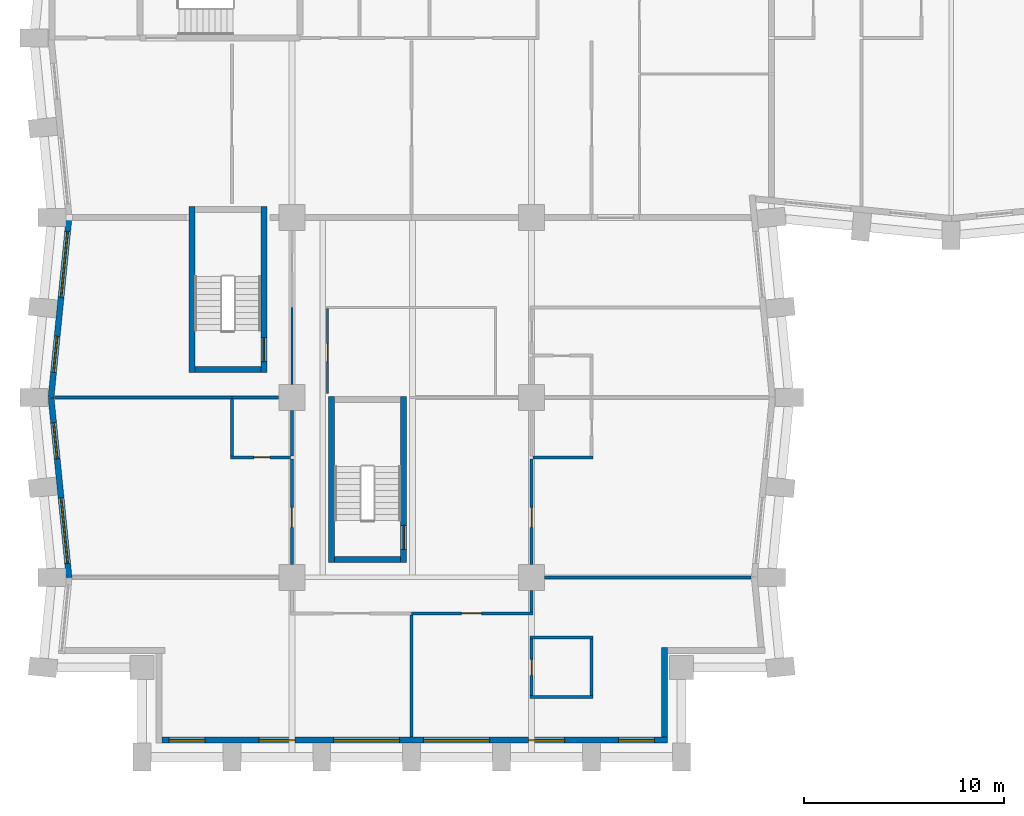
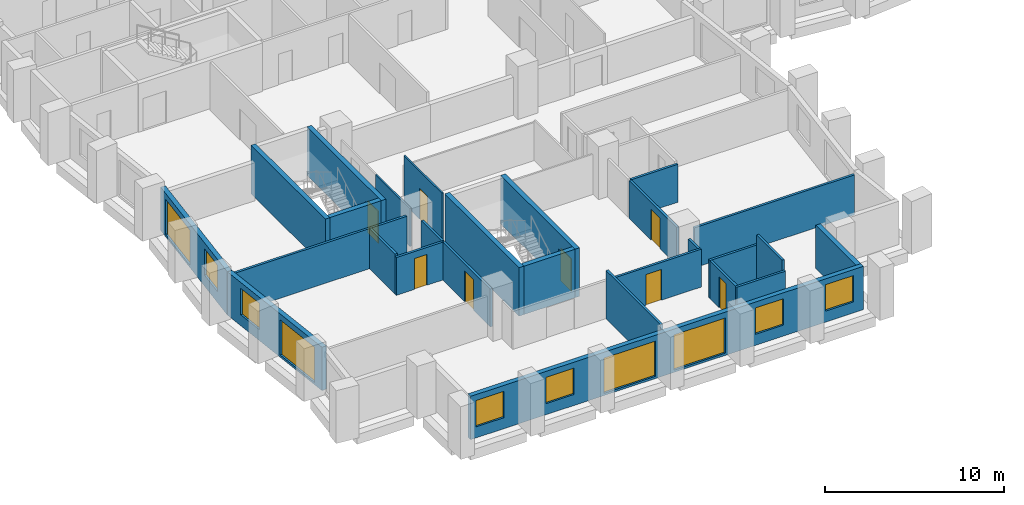
# One storey, part 3 of 12: 28 walls, 10 windows, 8 doors, 18 openings.
"""IFC4 building model written with IfcOpenShell, lengths in metres."""

from ifc_helpers import new_model, si_unit, direction, frame, frame_2d, origin, place, context, subcontext, project, spatial, rectangle, extrude, material, layer, layer_set, type_object, element, fill, save


model = new_model("IFC4")

# Units and contexts
model_context = context("Model", 3, precision=1e-05, world=origin(), true_north=direction((0.0, 1.0)))
body_context = subcontext(model_context, "Body", "Model", "MODEL_VIEW")
ifc_project = project(units=[si_unit("LENGTHUNIT", "METRE"), si_unit("AREAUNIT", "SQUARE_METRE"), si_unit("VOLUMEUNIT", "CUBIC_METRE"), si_unit("PLANEANGLEUNIT", "RADIAN"), si_unit("MASSUNIT", "GRAM", prefix="KILO")], contexts=[model_context])

# Site, building, storey
site_placement = place(None, origin())
site = spatial("IfcSite", under=ifc_project, at=site_placement, CompositionType="ELEMENT")
building_placement = place(site_placement, origin())
building = spatial("IfcBuilding", under=site, at=building_placement, Name="Brondeck Convention Tower", CompositionType="ELEMENT")
storey_placement = place(building_placement, frame((0.0, 0.0, 51.89990234375)))
storey = spatial("IfcBuildingStorey", under=building, at=storey_placement, Name="L10", CompositionType="ELEMENT", Elevation=51.89990234375)

# Wall, openings, windows
ifc_material_1 = material(Name="Precast concrete C50/60 bronze finish", Category="concrete")
ifc_layer_1 = layer(ifc_material_1, 0.070068359375, Name="Bronze precast facing")
ifc_material_2 = material(Name="Mineral wool")
ifc_layer_2 = layer(ifc_material_2, 0.159912109375, Name="Insulation")
ifc_material_3 = material(Name="Concrete C35/45", Category="concrete")
ifc_layer_3 = layer(ifc_material_3, 0.070068359375, Name="Backing")
ifc_layer_set_1 = layer_set([ifc_layer_1, ifc_layer_2, ifc_layer_3], Name="External infill wall, precast concrete C50/60 bronze facing")
wall_type_1 = type_object("IfcWallType", Name="External infill wall, precast concrete C50/60 bronze facing", PredefinedType="SOLIDWALL", material=ifc_layer_set_1)
wall_1_placement = place(storey_placement, frame((30.800048828125, 0.85009765625, 0.0), z_axis=(0.0, 0.0, 1.0), x_axis=(-1.0, 0.0, 0.0)))
wall_1 = element("IfcWall", 1, at=wall_1_placement, inside=storey, type_object=wall_type_1, Name="ENV-EW-L10-P0-B-S0-01", PredefinedType="SOLIDWALL", context=body_context, shape_type="SweptSolid", body=[
    extrude(rectangle(XDim=25.300048828125, YDim=0.300048828125, at=frame_2d((12.64990234375, 0.0))), origin(), (0.0, 0.0, 1.0), 2.9501953125),
])
opening_1_placement = place(wall_1_placement, frame((0.64990234375, 0.0, 0.75)))
opening_1 = element("IfcOpeningElement", 2, at=opening_1_placement, cuts=wall_1, Name="Opening W10", PredefinedType="OPENING", context=body_context, shape_type="SweptSolid", body=[
    extrude(rectangle(XDim=1.800048828125, YDim=1.800048828125, at=frame_2d((0.89990234375, 0.89990234375))), frame((0.0, 0.159912109375, 0.0), z_axis=(0.0, -1.0, 0.0), x_axis=(1.0, 0.0, 0.0)), (0.0, 0.0, 1.0), 0.320068359375),
])
opening_2_placement = place(wall_1_placement, frame((5.14990234375, 0.0, 0.75)))
opening_2 = element("IfcOpeningElement", 3, at=opening_2_placement, cuts=wall_1, Name="Opening W10", PredefinedType="OPENING", context=body_context, shape_type="SweptSolid", body=[
    extrude(rectangle(XDim=1.800048828125, YDim=1.800048828125, at=frame_2d((0.89990234375, 0.89990234375))), frame((0.0, 0.159912109375, 0.0), z_axis=(0.0, -1.0, 0.0), x_axis=(1.0, 0.0, 0.0)), (0.0, 0.0, 1.0), 0.320068359375),
])
opening_3_placement = place(wall_1_placement, frame((8.89990234375, 0.0, 0.14990234375)))
opening_3 = element("IfcOpeningElement", 4, at=opening_3_placement, cuts=wall_1, Name="Opening W9", PredefinedType="OPENING", context=body_context, shape_type="SweptSolid", body=[
    extrude(rectangle(XDim=3.300048828125, YDim=2.39990234375, at=frame_2d((1.64990234375, 1.199951171875))), frame((0.0, 0.159912109375, 0.0), z_axis=(0.0, -1.0, 0.0), x_axis=(1.0, 0.0, 0.0)), (0.0, 0.0, 1.0), 0.320068359375),
])
opening_4_placement = place(wall_1_placement, frame((13.39990234375, 0.0, 0.14990234375)))
opening_4 = element("IfcOpeningElement", 5, at=opening_4_placement, cuts=wall_1, Name="Opening W9", PredefinedType="OPENING", context=body_context, shape_type="SweptSolid", body=[
    extrude(rectangle(XDim=3.300048828125, YDim=2.39990234375, at=frame_2d((1.64990234375, 1.199951171875))), frame((0.0, 0.159912109375, 0.0), z_axis=(0.0, -1.0, 0.0), x_axis=(1.0, 0.0, 0.0)), (0.0, 0.0, 1.0), 0.320068359375),
])
opening_5_placement = place(wall_1_placement, frame((18.64990234375, 0.0, 0.75)))
opening_5 = element("IfcOpeningElement", 6, at=opening_5_placement, cuts=wall_1, Name="Opening W10", PredefinedType="OPENING", context=body_context, shape_type="SweptSolid", body=[
    extrude(rectangle(XDim=1.800048828125, YDim=1.800048828125, at=frame_2d((0.89990234375, 0.89990234375))), frame((0.0, 0.159912109375, 0.0), z_axis=(0.0, -1.0, 0.0), x_axis=(1.0, 0.0, 0.0)), (0.0, 0.0, 1.0), 0.320068359375),
])
opening_6_placement = place(wall_1_placement, frame((23.14990234375, 0.0, 0.75)))
opening_6 = element("IfcOpeningElement", 7, at=opening_6_placement, cuts=wall_1, Name="Opening W10", PredefinedType="OPENING", context=body_context, shape_type="SweptSolid", body=[
    extrude(rectangle(XDim=1.800048828125, YDim=1.800048828125, at=frame_2d((0.89990234375, 0.89990234375))), frame((0.0, 0.159912109375, 0.0), z_axis=(0.0, -1.0, 0.0), x_axis=(1.0, 0.0, 0.0)), (0.0, 0.0, 1.0), 0.320068359375),
])
ifc_material_4 = material(Name="Bronze tinted double glazing", Category="glass")
window_type_1 = type_object("IfcWindowType", Name="Glazed flute window, bronze tinted", PartitioningType="SINGLE_PANEL", PredefinedType="WINDOW", material=ifc_material_4)
window_1_placement = place(opening_3_placement, origin())
window_1 = element("IfcWindow", 8, at=window_1_placement, inside=storey, type_object=window_type_1, Name="ENV-WN-L10-P0-B-S0-04", OverallHeight=2.39990234375, OverallWidth=3.300048828125, PartitioningType="SINGLE_PANEL", PredefinedType="WINDOW", context=body_context, shape_type="SweptSolid", body=[
    extrude(rectangle(XDim=3.300048828125, YDim=2.39990234375, at=frame_2d((1.64990234375, 1.199951171875))), frame((0.0, 0.030029296875, 0.0), z_axis=(0.0, -1.0, 0.0), x_axis=(1.0, 0.0, 0.0)), (0.0, 0.0, 1.0), 0.06005859375),
])
fill(opening_3, window_1)
window_2_placement = place(opening_4_placement, origin())
window_2 = element("IfcWindow", 9, at=window_2_placement, inside=storey, type_object=window_type_1, Name="ENV-WN-L10-P0-B-S0-03", OverallHeight=2.39990234375, OverallWidth=3.300048828125, PartitioningType="SINGLE_PANEL", PredefinedType="WINDOW", context=body_context, shape_type="SweptSolid", body=[
    extrude(rectangle(XDim=3.300048828125, YDim=2.39990234375, at=frame_2d((1.64990234375, 1.199951171875))), frame((0.0, 0.030029296875, 0.0), z_axis=(0.0, -1.0, 0.0), x_axis=(1.0, 0.0, 0.0)), (0.0, 0.0, 1.0), 0.06005859375),
])
fill(opening_4, window_2)
window_type_2 = type_object("IfcWindowType", Name="Punched window, bronze tinted", PartitioningType="SINGLE_PANEL", PredefinedType="WINDOW", material=ifc_material_4)
window_3_placement = place(opening_1_placement, origin())
window_3 = element("IfcWindow", 10, at=window_3_placement, inside=storey, type_object=window_type_2, Name="ENV-WN-L10-P0-B-S0-06", OverallHeight=1.800048828125, OverallWidth=1.800048828125, PartitioningType="SINGLE_PANEL", PredefinedType="WINDOW", context=body_context, shape_type="SweptSolid", body=[
    extrude(rectangle(XDim=1.800048828125, YDim=1.800048828125, at=frame_2d((0.89990234375, 0.89990234375))), frame((0.0, 0.030029296875, 0.0), z_axis=(0.0, -1.0, 0.0), x_axis=(1.0, 0.0, 0.0)), (0.0, 0.0, 1.0), 0.06005859375),
])
fill(opening_1, window_3)
window_4_placement = place(opening_2_placement, origin())
window_4 = element("IfcWindow", 11, at=window_4_placement, inside=storey, type_object=window_type_2, Name="ENV-WN-L10-P0-B-S0-05", OverallHeight=1.800048828125, OverallWidth=1.800048828125, PartitioningType="SINGLE_PANEL", PredefinedType="WINDOW", context=body_context, shape_type="SweptSolid", body=[
    extrude(rectangle(XDim=1.800048828125, YDim=1.800048828125, at=frame_2d((0.89990234375, 0.89990234375))), frame((0.0, 0.030029296875, 0.0), z_axis=(0.0, -1.0, 0.0), x_axis=(1.0, 0.0, 0.0)), (0.0, 0.0, 1.0), 0.06005859375),
])
fill(opening_2, window_4)
window_5_placement = place(opening_5_placement, origin())
window_5 = element("IfcWindow", 12, at=window_5_placement, inside=storey, type_object=window_type_2, Name="ENV-WN-L10-P0-B-S0-02", OverallHeight=1.800048828125, OverallWidth=1.800048828125, PartitioningType="SINGLE_PANEL", PredefinedType="WINDOW", context=body_context, shape_type="SweptSolid", body=[
    extrude(rectangle(XDim=1.800048828125, YDim=1.800048828125, at=frame_2d((0.89990234375, 0.89990234375))), frame((0.0, 0.030029296875, 0.0), z_axis=(0.0, -1.0, 0.0), x_axis=(1.0, 0.0, 0.0)), (0.0, 0.0, 1.0), 0.06005859375),
])
fill(opening_5, window_5)
window_6_placement = place(opening_6_placement, origin())
window_6 = element("IfcWindow", 13, at=window_6_placement, inside=storey, type_object=window_type_2, Name="ENV-WN-L10-P0-B-S0-01", OverallHeight=1.800048828125, OverallWidth=1.800048828125, PartitioningType="SINGLE_PANEL", PredefinedType="WINDOW", context=body_context, shape_type="SweptSolid", body=[
    extrude(rectangle(XDim=1.800048828125, YDim=1.800048828125, at=frame_2d((0.89990234375, 0.89990234375))), frame((0.0, 0.030029296875, 0.0), z_axis=(0.0, -1.0, 0.0), x_axis=(1.0, 0.0, 0.0)), (0.0, 0.0, 1.0), 0.06005859375),
])
fill(opening_6, window_6)

# Wall
wall_2_placement = place(storey_placement, frame((30.64990234375, 5.5, 0.0), z_axis=(0.0, 0.0, 1.0), x_axis=(0.0, -1.0, 0.0)))
element("IfcWall", 14, at=wall_2_placement, inside=storey, type_object=wall_type_1, Name="ENV-EW-L10-P0-NC-SEB0-01", PredefinedType="SOLIDWALL", context=body_context, shape_type="SweptSolid", body=[
    extrude(rectangle(XDim=4.501953125, YDim=0.300048828125, at=frame_2d((2.2509765625, 0.0))), origin(), (0.0, 0.0, 1.0), 2.9501953125),
])

# Wall, openings, windows
wall_3_placement = place(storey_placement, frame((-0.04736328125, 17.985107421875, 0.0), z_axis=(0.0, 0.0, 1.0), x_axis=(0.099522457379, 0.995035316196, 0.0)))
wall_3 = element("IfcWall", 15, at=wall_3_placement, inside=storey, type_object=wall_type_1, Name="ENV-EW-L10-P0-B-W-08", PredefinedType="SOLIDWALL", context=body_context, shape_type="SweptSolid", body=[
    extrude(rectangle(XDim=9.030029296875, YDim=0.300048828125, at=frame_2d((4.51513671875, 0.0))), origin(), (0.0, 0.0, 1.0), 2.9501953125),
])
opening_7_placement = place(wall_3_placement, frame((1.291259765625, 0.0, 0.75)))
opening_7 = element("IfcOpeningElement", 16, at=opening_7_placement, cuts=wall_3, Name="Opening W10", PredefinedType="OPENING", context=body_context, shape_type="SweptSolid", body=[
    extrude(rectangle(XDim=1.800048828125, YDim=1.800048828125, at=frame_2d((0.89990234375, 0.89990234375))), frame((0.0, 0.159912109375, 0.0), z_axis=(0.0, -1.0, 0.0), x_axis=(1.0, 0.0, 0.0)), (0.0, 0.0, 1.0), 0.320068359375),
])
opening_8_placement = place(wall_3_placement, frame((5.063720703125, 0.0, 0.14990234375)))
opening_8 = element("IfcOpeningElement", 17, at=opening_8_placement, cuts=wall_3, Name="Opening W9", PredefinedType="OPENING", context=body_context, shape_type="SweptSolid", body=[
    extrude(rectangle(XDim=3.300048828125, YDim=2.39990234375, at=frame_2d((1.64990234375, 1.199951171875))), frame((0.0, 0.159912109375, 0.0), z_axis=(0.0, -1.0, 0.0), x_axis=(1.0, 0.0, 0.0)), (0.0, 0.0, 1.0), 0.320068359375),
])
window_7_placement = place(opening_8_placement, origin())
window_7 = element("IfcWindow", 18, at=window_7_placement, inside=storey, type_object=window_type_1, Name="ENV-WN-L10-P0-B-W-08", OverallHeight=2.39990234375, OverallWidth=3.300048828125, PartitioningType="SINGLE_PANEL", PredefinedType="WINDOW", context=body_context, shape_type="SweptSolid", body=[
    extrude(rectangle(XDim=3.300048828125, YDim=2.39990234375, at=frame_2d((1.64990234375, 1.199951171875))), frame((0.0, 0.030029296875, 0.0), z_axis=(0.0, -1.0, 0.0), x_axis=(1.0, 0.0, 0.0)), (0.0, 0.0, 1.0), 0.06005859375),
])
fill(opening_8, window_7)
window_8_placement = place(opening_7_placement, origin())
window_8 = element("IfcWindow", 19, at=window_8_placement, inside=storey, type_object=window_type_2, Name="ENV-WN-L10-P0-B-W-09", OverallHeight=1.800048828125, OverallWidth=1.800048828125, PartitioningType="SINGLE_PANEL", PredefinedType="WINDOW", context=body_context, shape_type="SweptSolid", body=[
    extrude(rectangle(XDim=1.800048828125, YDim=1.800048828125, at=frame_2d((0.89990234375, 0.89990234375))), frame((0.0, 0.030029296875, 0.0), z_axis=(0.0, -1.0, 0.0), x_axis=(1.0, 0.0, 0.0)), (0.0, 0.0, 1.0), 0.06005859375),
])
fill(opening_7, window_8)

wall_4_placement = place(storey_placement, frame((0.855712890625, 8.985107421875, 0.0), z_axis=(0.0, 0.0, 1.0), x_axis=(-0.099495688264, 0.995037993253, 0.0)))
wall_4 = element("IfcWall", 20, at=wall_4_placement, inside=storey, type_object=wall_type_1, Name="ENV-EW-L10-P0-B-W-10", PredefinedType="SOLIDWALL", context=body_context, shape_type="SweptSolid", body=[
    extrude(rectangle(XDim=9.030029296875, YDim=0.300048828125, at=frame_2d((4.51513671875, 0.0))), origin(), (0.0, 0.0, 1.0), 2.9501953125),
])
opening_9_placement = place(wall_4_placement, frame((0.711181640625, 0.0, 0.14990234375)))
opening_9 = element("IfcOpeningElement", 21, at=opening_9_placement, cuts=wall_4, Name="Opening W9", PredefinedType="OPENING", context=body_context, shape_type="SweptSolid", body=[
    extrude(rectangle(XDim=3.300048828125, YDim=2.39990234375, at=frame_2d((1.64990234375, 1.199951171875))), frame((0.0, 0.159912109375, 0.0), z_axis=(0.0, -1.0, 0.0), x_axis=(1.0, 0.0, 0.0)), (0.0, 0.0, 1.0), 0.320068359375),
])
opening_10_placement = place(wall_4_placement, frame((5.983642578125, 0.0, 0.75)))
opening_10 = element("IfcOpeningElement", 22, at=opening_10_placement, cuts=wall_4, Name="Opening W10", PredefinedType="OPENING", context=body_context, shape_type="SweptSolid", body=[
    extrude(rectangle(XDim=1.800048828125, YDim=1.800048828125, at=frame_2d((0.89990234375, 0.89990234375))), frame((0.0, 0.159912109375, 0.0), z_axis=(0.0, -1.0, 0.0), x_axis=(1.0, 0.0, 0.0)), (0.0, 0.0, 1.0), 0.320068359375),
])
window_9_placement = place(opening_9_placement, origin())
window_9 = element("IfcWindow", 23, at=window_9_placement, inside=storey, type_object=window_type_1, Name="ENV-WN-L10-P0-B-W-11", OverallHeight=2.39990234375, OverallWidth=3.300048828125, PartitioningType="SINGLE_PANEL", PredefinedType="WINDOW", context=body_context, shape_type="SweptSolid", body=[
    extrude(rectangle(XDim=3.300048828125, YDim=2.39990234375, at=frame_2d((1.64990234375, 1.199951171875))), frame((0.0, 0.030029296875, 0.0), z_axis=(0.0, -1.0, 0.0), x_axis=(1.0, 0.0, 0.0)), (0.0, 0.0, 1.0), 0.06005859375),
])
fill(opening_9, window_9)
window_10_placement = place(opening_10_placement, origin())
window_10 = element("IfcWindow", 24, at=window_10_placement, inside=storey, type_object=window_type_2, Name="ENV-WN-L10-P0-B-W-10", OverallHeight=1.800048828125, OverallWidth=1.800048828125, PartitioningType="SINGLE_PANEL", PredefinedType="WINDOW", context=body_context, shape_type="SweptSolid", body=[
    extrude(rectangle(XDim=1.800048828125, YDim=1.800048828125, at=frame_2d((0.89990234375, 0.89990234375))), frame((0.0, 0.030029296875, 0.0), z_axis=(0.0, -1.0, 0.0), x_axis=(1.0, 0.0, 0.0)), (0.0, 0.0, 1.0), 0.06005859375),
])
fill(opening_10, window_10)

# Walls
ifc_material_5 = material(Name="Double gypsum board acoustic wall")
ifc_layer_4 = layer(ifc_material_5, 0.14990234375)
ifc_layer_set_2 = layer_set([ifc_layer_4], Name="Guest room party wall 150")
wall_type_2 = type_object("IfcWallType", Name="Guest room party wall 150", PredefinedType="PARTITIONING", material=ifc_layer_set_2)
wall_5_placement = place(storey_placement, frame((23.925048828125, 3.0, 0.0), z_axis=(0.0, 0.0, 1.0), x_axis=(1.0, 0.0, 0.0)))
element("IfcWall", 25, at=wall_5_placement, inside=storey, type_object=wall_type_2, Name="FLR-L10-W001", PredefinedType="PARTITIONING", context=body_context, shape_type="SweptSolid", body=[
    extrude(rectangle(XDim=3.14990234375, YDim=0.14990234375, at=frame_2d((1.574951171875, 0.0))), origin(), (0.0, 0.0, 1.0), 2.580078125),
])
wall_6_placement = place(storey_placement, frame((27.0, 3.074951171875, 0.0), z_axis=(0.0, 0.0, 1.0), x_axis=(0.0, 1.0, 0.0)))
element("IfcWall", 26, at=wall_6_placement, inside=storey, type_object=wall_type_2, Name="FLR-L10-W002", PredefinedType="PARTITIONING", context=body_context, shape_type="SweptSolid", body=[
    extrude(rectangle(XDim=2.85009765625, YDim=0.14990234375, at=frame_2d((1.425048828125, 0.0))), origin(), (0.0, 0.0, 1.0), 3.280029296875),
])

# Wall, opening, door
wall_7_placement = place(storey_placement, frame((24.0, 5.925048828125, 0.0), z_axis=(0.0, 0.0, 1.0), x_axis=(0.0, -1.0, 0.0)))
wall_7 = element("IfcWall", 27, at=wall_7_placement, inside=storey, type_object=wall_type_2, Name="FLR-L10-W003", PredefinedType="PARTITIONING", context=body_context, shape_type="SweptSolid", body=[
    extrude(rectangle(XDim=2.85009765625, YDim=0.14990234375, at=frame_2d((1.425048828125, 0.0))), origin(), (0.0, 0.0, 1.0), 2.580078125),
])
opening_11_placement = place(wall_7_placement, frame((1.02490234375, 0.0, 0.0)))
opening_11 = element("IfcOpeningElement", 28, at=opening_11_placement, cuts=wall_7, Name="Opening H2-032", PredefinedType="OPENING", context=body_context, shape_type="SweptSolid", body=[
    extrude(rectangle(XDim=0.800048828125, YDim=2.10009765625, at=frame_2d((0.39990234375, 1.050048828125))), frame((0.0, 0.0849609375, 0.0), z_axis=(0.0, -1.0, 0.0), x_axis=(1.0, 0.0, 0.0)), (0.0, 0.0, 1.0), 0.169921875),
])
ifc_material_6 = material(Name="Solid timber door leaf", Category="wood")
door_type_1 = type_object("IfcDoorType", Name="En-suite door 800", OperationType="NOTDEFINED", PredefinedType="DOOR", material=ifc_material_6)
door_1_placement = place(opening_11_placement, origin())
door_1 = element("IfcDoor", 29, at=door_1_placement, inside=storey, type_object=door_type_1, Name="Door H2-032", OperationType="SINGLE_SWING_RIGHT", OverallHeight=2.10009765625, OverallWidth=0.800048828125, PredefinedType="DOOR", context=body_context, shape_type="SweptSolid", body=[
    extrude(rectangle(XDim=0.800048828125, YDim=2.10009765625, at=frame_2d((0.39990234375, 1.050048828125))), frame((0.0, 0.02490234375, 0.0), z_axis=(0.0, -1.0, 0.0), x_axis=(1.0, 0.0, 0.0)), (0.0, 0.0, 1.0), 0.050048828125),
])
fill(opening_11, door_1)

# Walls
wall_8_placement = place(storey_placement, frame((27.074951171875, 6.0, 0.0), z_axis=(0.0, 0.0, 1.0), x_axis=(-1.0, 0.0, 0.0)))
element("IfcWall", 30, at=wall_8_placement, inside=storey, type_object=wall_type_2, Name="FLR-L10-W004", PredefinedType="PARTITIONING", context=body_context, shape_type="SweptSolid", body=[
    extrude(rectangle(XDim=3.14990234375, YDim=0.14990234375, at=frame_2d((1.574951171875, 0.0))), origin(), (0.0, 0.0, 1.0), 2.580078125),
])
wall_9_placement = place(storey_placement, frame((18.0, 7.125, 0.0), z_axis=(0.0, 0.0, 1.0), x_axis=(0.0, -1.0, 0.0)))
element("IfcWall", 31, at=wall_9_placement, inside=storey, type_object=wall_type_2, Name="FLR-L10-W005", PredefinedType="PARTITIONING", context=body_context, shape_type="SweptSolid", body=[
    extrude(rectangle(XDim=6.10498046875, YDim=0.14990234375, at=frame_2d((3.052490234375, 0.0))), origin(), (0.0, 0.0, 1.0), 3.280029296875),
])

# Wall, opening, door
wall_10_placement = place(storey_placement, frame((24.074951171875, 7.199951171875, 0.0), z_axis=(0.0, 0.0, 1.0), x_axis=(-1.0, 0.0, 0.0)))
wall_10 = element("IfcWall", 32, at=wall_10_placement, inside=storey, type_object=wall_type_2, Name="FLR-L10-W007", PredefinedType="PARTITIONING", context=body_context, shape_type="SweptSolid", body=[
    extrude(rectangle(XDim=6.074951171875, YDim=0.14990234375, at=frame_2d((3.03759765625, 0.0))), origin(), (0.0, 0.0, 1.0), 2.580078125),
])
opening_12_placement = place(wall_10_placement, frame((2.574951171875, 0.0, 0.0)))
opening_12 = element("IfcOpeningElement", 33, at=opening_12_placement, cuts=wall_10, Name="Opening H2-031", PredefinedType="OPENING", context=body_context, shape_type="SweptSolid", body=[
    extrude(rectangle(XDim=1.0, YDim=2.10009765625, at=frame_2d((0.5, 1.050048828125))), frame((0.0, 0.0849609375, 0.0), z_axis=(0.0, -1.0, 0.0), x_axis=(1.0, 0.0, 0.0)), (0.0, 0.0, 1.0), 0.169921875),
])
ifc_material_7 = material(Name="Solid timber fire door leaf", Category="wood")
door_type_2 = type_object("IfcDoorType", Name="Guest room door 1000", OperationType="NOTDEFINED", PredefinedType="DOOR", material=ifc_material_7)
door_2_placement = place(opening_12_placement, origin())
door_2 = element("IfcDoor", 34, at=door_2_placement, inside=storey, type_object=door_type_2, Name="Door H2-031", OperationType="SINGLE_SWING_LEFT", OverallHeight=2.10009765625, OverallWidth=1.0, PredefinedType="DOOR", context=body_context, shape_type="SweptSolid", body=[
    extrude(rectangle(XDim=1.0, YDim=2.10009765625, at=frame_2d((0.5, 1.050048828125))), frame((0.0, 0.02490234375, 0.0), z_axis=(0.0, -1.0, 0.0), x_axis=(1.0, 0.0, 0.0)), (0.0, 0.0, 1.0), 0.050048828125),
])
fill(opening_12, door_2)

# Walls
wall_11_placement = place(storey_placement, frame((24.0, 8.344970703125, 0.0), z_axis=(0.0, 0.0, 1.0), x_axis=(0.0, -1.0, 0.0)))
element("IfcWall", 35, at=wall_11_placement, inside=storey, type_object=wall_type_2, Name="FLR-L10-W009", PredefinedType="PARTITIONING", context=body_context, shape_type="SweptSolid", body=[
    extrude(rectangle(XDim=1.070068359375, YDim=0.14990234375, at=frame_2d((0.53515625, 0.0))), origin(), (0.0, 0.0, 1.0), 2.580078125),
])
wall_12_placement = place(storey_placement, frame((34.97509765625, 9.0, 0.0), z_axis=(0.0, 0.0, 1.0), x_axis=(-1.0, 0.0, 0.0)))
element("IfcWall", 36, at=wall_12_placement, inside=storey, type_object=wall_type_2, Name="FLR-L10-W011", PredefinedType="PARTITIONING", context=body_context, shape_type="SweptSolid", body=[
    extrude(rectangle(XDim=10.320068359375, YDim=0.14990234375, at=frame_2d((5.16015625, 0.0))), origin(), (0.0, 0.0, 1.0), 2.72998046875),
])

# Wall, opening, door
wall_13_placement = place(storey_placement, frame((12.0, 9.655029296875, 0.0), z_axis=(0.0, 0.0, 1.0), x_axis=(0.0, 1.0, 0.0)))
wall_13 = element("IfcWall", 37, at=wall_13_placement, inside=storey, type_object=wall_type_2, Name="FLR-L10-W012", PredefinedType="PARTITIONING", context=body_context, shape_type="SweptSolid", body=[
    extrude(rectangle(XDim=5.27001953125, YDim=0.14990234375, at=frame_2d((2.635009765625, 0.0))), origin(), (0.0, 0.0, 1.0), 2.580078125),
])
opening_13_placement = place(wall_13_placement, frame((1.844970703125, 0.0, 0.0)))
opening_13 = element("IfcOpeningElement", 38, at=opening_13_placement, cuts=wall_13, Name="Opening H2-023", PredefinedType="OPENING", context=body_context, shape_type="SweptSolid", body=[
    extrude(rectangle(XDim=1.0, YDim=2.10009765625, at=frame_2d((0.5, 1.050048828125))), frame((0.0, 0.0849609375, 0.0), z_axis=(0.0, -1.0, 0.0), x_axis=(1.0, 0.0, 0.0)), (0.0, 0.0, 1.0), 0.169921875),
])
door_3_placement = place(opening_13_placement, origin())
door_3 = element("IfcDoor", 39, at=door_3_placement, inside=storey, type_object=door_type_2, Name="Door H2-023", OperationType="SINGLE_SWING_RIGHT", OverallHeight=2.10009765625, OverallWidth=1.0, PredefinedType="DOOR", context=body_context, shape_type="SweptSolid", body=[
    extrude(rectangle(XDim=1.0, YDim=2.10009765625, at=frame_2d((0.5, 1.050048828125))), frame((0.0, 0.02490234375, 0.0), z_axis=(0.0, -1.0, 0.0), x_axis=(1.0, 0.0, 0.0)), (0.0, 0.0, 1.0), 0.050048828125),
])
fill(opening_13, door_3)

wall_14_placement = place(storey_placement, frame((24.0, 14.925048828125, 0.0), z_axis=(0.0, 0.0, 1.0), x_axis=(0.0, -1.0, 0.0)))
wall_14 = element("IfcWall", 40, at=wall_14_placement, inside=storey, type_object=wall_type_2, Name="FLR-L10-W013", PredefinedType="PARTITIONING", context=body_context, shape_type="SweptSolid", body=[
    extrude(rectangle(XDim=5.27001953125, YDim=0.14990234375, at=frame_2d((2.635009765625, 0.0))), origin(), (0.0, 0.0, 1.0), 2.580078125),
])
opening_14_placement = place(wall_14_placement, frame((2.425048828125, 0.0, 0.0)))
opening_14 = element("IfcOpeningElement", 41, at=opening_14_placement, cuts=wall_14, Name="Opening H2-027", PredefinedType="OPENING", context=body_context, shape_type="SweptSolid", body=[
    extrude(rectangle(XDim=1.0, YDim=2.10009765625, at=frame_2d((0.5, 1.050048828125))), frame((0.0, 0.0849609375, 0.0), z_axis=(0.0, -1.0, 0.0), x_axis=(1.0, 0.0, 0.0)), (0.0, 0.0, 1.0), 0.169921875),
])
door_4_placement = place(opening_14_placement, origin())
door_4 = element("IfcDoor", 42, at=door_4_placement, inside=storey, type_object=door_type_2, Name="Door H2-027", OperationType="SINGLE_SWING_RIGHT", OverallHeight=2.10009765625, OverallWidth=1.0, PredefinedType="DOOR", context=body_context, shape_type="SweptSolid", body=[
    extrude(rectangle(XDim=1.0, YDim=2.10009765625, at=frame_2d((0.5, 1.050048828125))), frame((0.0, 0.02490234375, 0.0), z_axis=(0.0, -1.0, 0.0), x_axis=(1.0, 0.0, 0.0)), (0.0, 0.0, 1.0), 0.050048828125),
])
fill(opening_14, door_4)

wall_15_placement = place(storey_placement, frame((8.925048828125, 15.0, 0.0), z_axis=(0.0, 0.0, 1.0), x_axis=(1.0, 0.0, 0.0)))
wall_15 = element("IfcWall", 43, at=wall_15_placement, inside=storey, type_object=wall_type_2, Name="FLR-L10-W014", PredefinedType="PARTITIONING", context=body_context, shape_type="SweptSolid", body=[
    extrude(rectangle(XDim=3.0, YDim=0.14990234375, at=frame_2d((1.5, 0.0))), origin(), (0.0, 0.0, 1.0), 2.580078125),
])
opening_15_placement = place(wall_15_placement, frame((1.175048828125, 0.0, 0.0)))
opening_15 = element("IfcOpeningElement", 44, at=opening_15_placement, cuts=wall_15, Name="Opening H2-024", PredefinedType="OPENING", context=body_context, shape_type="SweptSolid", body=[
    extrude(rectangle(XDim=0.800048828125, YDim=2.10009765625, at=frame_2d((0.39990234375, 1.050048828125))), frame((0.0, 0.0849609375, 0.0), z_axis=(0.0, -1.0, 0.0), x_axis=(1.0, 0.0, 0.0)), (0.0, 0.0, 1.0), 0.169921875),
])
door_5_placement = place(opening_15_placement, origin())
door_5 = element("IfcDoor", 45, at=door_5_placement, inside=storey, type_object=door_type_1, Name="Door H2-024", OperationType="SINGLE_SWING_RIGHT", OverallHeight=2.10009765625, OverallWidth=0.800048828125, PredefinedType="DOOR", context=body_context, shape_type="SweptSolid", body=[
    extrude(rectangle(XDim=0.800048828125, YDim=2.10009765625, at=frame_2d((0.39990234375, 1.050048828125))), frame((0.0, 0.02490234375, 0.0), z_axis=(0.0, -1.0, 0.0), x_axis=(1.0, 0.0, 0.0)), (0.0, 0.0, 1.0), 0.050048828125),
])
fill(opening_15, door_5)

# Walls
wall_16_placement = place(storey_placement, frame((24.074951171875, 15.0, 0.0), z_axis=(0.0, 0.0, 1.0), x_axis=(1.0, 0.0, 0.0)))
element("IfcWall", 46, at=wall_16_placement, inside=storey, type_object=wall_type_2, Name="FLR-L10-W015", PredefinedType="PARTITIONING", context=body_context, shape_type="SweptSolid", body=[
    extrude(rectangle(XDim=3.0, YDim=0.14990234375, at=frame_2d((1.5, 0.0))), origin(), (0.0, 0.0, 1.0), 2.580078125),
])
wall_17_placement = place(storey_placement, frame((12.0, 15.074951171875, 0.0), z_axis=(0.0, 0.0, 1.0), x_axis=(0.0, 1.0, 0.0)))
element("IfcWall", 47, at=wall_17_placement, inside=storey, type_object=wall_type_2, Name="FLR-L10-W016", PredefinedType="PARTITIONING", context=body_context, shape_type="SweptSolid", body=[
    extrude(rectangle(XDim=2.27001953125, YDim=0.14990234375, at=frame_2d((1.135009765625, 0.0))), origin(), (0.0, 0.0, 1.0), 2.580078125),
])
wall_18_placement = place(storey_placement, frame((9.0, 17.925048828125, 0.0), z_axis=(0.0, 0.0, 1.0), x_axis=(0.0, -1.0, 0.0)))
element("IfcWall", 48, at=wall_18_placement, inside=storey, type_object=wall_type_2, Name="FLR-L10-W019", PredefinedType="PARTITIONING", context=body_context, shape_type="SweptSolid", body=[
    extrude(rectangle(XDim=2.85009765625, YDim=0.14990234375, at=frame_2d((1.425048828125, 0.0))), origin(), (0.0, 0.0, 1.0), 2.72998046875),
])
wall_19_placement = place(storey_placement, frame((9.0, 18.0, 0.0), z_axis=(0.0, 0.0, 1.0), x_axis=(-1.0, 0.0, 0.0)))
element("IfcWall", 49, at=wall_19_placement, inside=storey, type_object=wall_type_2, Name="FLR-L10-W020", PredefinedType="PARTITIONING", context=body_context, shape_type="SweptSolid", body=[
    extrude(rectangle(XDim=8.875, YDim=0.14990234375, at=frame_2d((4.4375, 0.0))), origin(), (0.0, 0.0, 1.0), 2.72998046875),
])
wall_20_placement = place(storey_placement, frame((11.344970703125, 18.0, 0.0), z_axis=(0.0, 0.0, 1.0), x_axis=(-1.0, 0.0, 0.0)))
element("IfcWall", 50, at=wall_20_placement, inside=storey, type_object=wall_type_2, Name="FLR-L10-W021", PredefinedType="PARTITIONING", context=body_context, shape_type="SweptSolid", body=[
    extrude(rectangle(XDim=2.344970703125, YDim=0.14990234375, at=frame_2d((1.17236328125, 0.0))), origin(), (0.0, 0.0, 1.0), 2.72998046875),
])

# Wall, opening, door
ifc_material_8 = material(Name="Gypsum board partition on steel studs", Category="steel")
ifc_layer_5 = layer(ifc_material_8, 0.10009765625)
ifc_layer_set_3 = layer_set([ifc_layer_5], Name="Room partition 100")
wall_type_3 = type_object("IfcWallType", Name="Room partition 100", PredefinedType="PARTITIONING", material=ifc_layer_set_3)
wall_21_placement = place(storey_placement, frame((13.800048828125, 22.449951171875, 0.0), z_axis=(0.0, 0.0, 1.0), x_axis=(0.0, -1.0, 0.0)))
wall_21 = element("IfcWall", 51, at=wall_21_placement, inside=storey, type_object=wall_type_3, Name="FLR-L10-W030", PredefinedType="PARTITIONING", context=body_context, shape_type="SweptSolid", body=[
    extrude(rectangle(XDim=4.25, YDim=0.10009765625, at=frame_2d((2.125, 0.0))), origin(), (0.0, 0.0, 1.0), 3.280029296875),
])
opening_16_placement = place(wall_21_placement, frame((1.75, 0.0, 0.0)))
opening_16 = element("IfcOpeningElement", 52, at=opening_16_placement, cuts=wall_21, Name="Opening H2-029", PredefinedType="OPENING", context=body_context, shape_type="SweptSolid", body=[
    extrude(rectangle(XDim=0.89990234375, YDim=2.10009765625, at=frame_2d((0.449951171875, 1.050048828125))), frame((0.0, 0.06005859375, 0.0), z_axis=(0.0, -1.0, 0.0), x_axis=(1.0, 0.0, 0.0)), (0.0, 0.0, 1.0), 0.1201171875),
])
door_type_3 = type_object("IfcDoorType", Name="Single door 900", OperationType="NOTDEFINED", PredefinedType="DOOR", material=ifc_material_6)
door_6_placement = place(opening_16_placement, origin())
door_6 = element("IfcDoor", 53, at=door_6_placement, inside=storey, type_object=door_type_3, Name="Door H2-029", OperationType="SINGLE_SWING_LEFT", OverallHeight=2.10009765625, OverallWidth=0.89990234375, PredefinedType="DOOR", context=body_context, shape_type="SweptSolid", body=[
    extrude(rectangle(XDim=0.89990234375, YDim=2.10009765625, at=frame_2d((0.449951171875, 1.050048828125))), frame((0.0, 0.02490234375, 0.0), z_axis=(0.0, -1.0, 0.0), x_axis=(1.0, 0.0, 0.0)), (0.0, 0.0, 1.0), 0.050048828125),
])
fill(opening_16, door_6)

# Walls
wall_22_placement = place(storey_placement, frame((12.0, 22.5, 0.0), z_axis=(0.0, 0.0, 1.0), x_axis=(0.0, -1.0, 0.0)))
element("IfcWall", 54, at=wall_22_placement, inside=storey, type_object=wall_type_3, Name="FLR-L10-W031", PredefinedType="PARTITIONING", context=body_context, shape_type="SweptSolid", body=[
    extrude(rectangle(XDim=3.844970703125, YDim=0.10009765625, at=frame_2d((1.92236328125, 0.0))), origin(), (0.0, 0.0, 1.0), 2.580078125),
])
ifc_material_9 = material(Name="Concrete C80/95", Category="concrete")
ifc_layer_6 = layer(ifc_material_9, 0.300048828125)
ifc_layer_set_4 = layer_set([ifc_layer_6], Name="Stair enclosure wall 300 Concrete C80/95")
wall_type_4 = type_object("IfcWallType", Name="Stair enclosure wall 300 Concrete C80/95", PredefinedType="SHEAR", material=ifc_layer_set_4)
for number, where, z_axis, x_axis, name in (
    (55, (14.14990234375, 9.89990234375, 0.0), (0.0, 0.0, 1.0), (1.0, 0.0, 0.0), "L10 core wall"),
    (56, (7.14990234375, 19.39990234375, 0.0), (0.0, 0.0, 1.0), (1.0, 0.0, 0.0), "L10 core wall"),
):
    element("IfcWall", number, at=place(storey_placement, frame(where, z_axis=z_axis, x_axis=x_axis)), inside=storey, type_object=wall_type_4, Name=name, PredefinedType="SHEAR", context=body_context, shape_type="SweptSolid", body=[
        extrude(rectangle(XDim=3.300048828125, YDim=0.300048828125, at=frame_2d((1.64990234375, 0.0))), origin(), (0.0, 0.0, 1.0), 3.300048828125),
    ])
wall_23_placement = place(storey_placement, frame((7.0, 19.25, 0.0), z_axis=(0.0, 0.0, 1.0), x_axis=(0.0, 1.0, 0.0)))
element("IfcWall", 57, at=wall_23_placement, inside=storey, type_object=wall_type_4, Name="L10 core wall", PredefinedType="SHEAR", context=body_context, shape_type="SweptSolid", body=[
    extrude(rectangle(XDim=8.300048828125, YDim=0.300048828125, at=frame_2d((4.14990234375, 0.0))), origin(), (0.0, 0.0, 1.0), 3.300048828125),
])

# Wall, opening, door
wall_24_placement = place(storey_placement, frame((10.60009765625, 19.25, 0.0), z_axis=(0.0, 0.0, 1.0), x_axis=(0.0, 1.0, 0.0)))
wall_24 = element("IfcWall", 58, at=wall_24_placement, inside=storey, type_object=wall_type_4, Name="L10 core wall", PredefinedType="SHEAR", context=body_context, shape_type="SweptSolid", body=[
    extrude(rectangle(XDim=8.300048828125, YDim=0.300048828125, at=frame_2d((4.14990234375, 0.0))), origin(), (0.0, 0.0, 1.0), 3.300048828125),
])
opening_17_placement = place(wall_24_placement, frame((0.550048828125, 0.0, 0.0)))
opening_17 = element("IfcOpeningElement", 59, at=opening_17_placement, cuts=wall_24, Name="Opening C09-20", PredefinedType="OPENING", context=body_context, shape_type="SweptSolid", body=[
    extrude(rectangle(XDim=1.199951171875, YDim=2.199951171875, at=frame_2d((0.60009765625, 1.10009765625))), frame((0.0, 0.159912109375, 0.0), z_axis=(0.0, -1.0, 0.0), x_axis=(1.0, 0.0, 0.0)), (0.0, 0.0, 1.0), 0.320068359375),
])
ifc_material_10 = material(Name="Steel fire door", Category="steel")
door_type_4 = type_object("IfcDoorType", Name="Stair door 1200x2200 EI 90", OperationType="NOTDEFINED", PredefinedType="DOOR", material=ifc_material_10)
door_7_placement = place(opening_17_placement, origin())
door_7 = element("IfcDoor", 60, at=door_7_placement, inside=storey, type_object=door_type_4, Name="L10 Stair door ST-BE", OperationType="SINGLE_SWING_RIGHT", OverallHeight=2.199951171875, OverallWidth=1.199951171875, PredefinedType="DOOR", context=body_context, shape_type="SweptSolid", body=[
    extrude(rectangle(XDim=1.199951171875, YDim=2.199951171875, at=frame_2d((0.60009765625, 1.10009765625))), frame((0.0, 0.02490234375, 0.0), z_axis=(0.0, -1.0, 0.0), x_axis=(1.0, 0.0, 0.0)), (0.0, 0.0, 1.0), 0.050048828125),
])
fill(opening_17, door_7)

# Wall
wall_25_placement = place(storey_placement, frame((14.0, 9.75, 0.0), z_axis=(0.0, 0.0, 1.0), x_axis=(0.0, 1.0, 0.0)))
element("IfcWall", 61, at=wall_25_placement, inside=storey, type_object=wall_type_4, Name="L10 core wall", PredefinedType="SHEAR", context=body_context, shape_type="SweptSolid", body=[
    extrude(rectangle(XDim=8.300048828125, YDim=0.300048828125, at=frame_2d((4.14990234375, 0.0))), origin(), (0.0, 0.0, 1.0), 3.300048828125),
])

# Wall, opening, door
wall_26_placement = place(storey_placement, frame((17.60009765625, 9.75, 0.0), z_axis=(0.0, 0.0, 1.0), x_axis=(0.0, 1.0, 0.0)))
wall_26 = element("IfcWall", 62, at=wall_26_placement, inside=storey, type_object=wall_type_4, Name="L10 core wall", PredefinedType="SHEAR", context=body_context, shape_type="SweptSolid", body=[
    extrude(rectangle(XDim=8.300048828125, YDim=0.300048828125, at=frame_2d((4.14990234375, 0.0))), origin(), (0.0, 0.0, 1.0), 3.300048828125),
])
opening_18_placement = place(wall_26_placement, frame((0.64990234375, 0.0, 0.0)))
opening_18 = element("IfcOpeningElement", 63, at=opening_18_placement, cuts=wall_26, Name="Opening C09-21", PredefinedType="OPENING", context=body_context, shape_type="SweptSolid", body=[
    extrude(rectangle(XDim=1.199951171875, YDim=2.199951171875, at=frame_2d((0.60009765625, 1.10009765625))), frame((0.0, 0.159912109375, 0.0), z_axis=(0.0, -1.0, 0.0), x_axis=(1.0, 0.0, 0.0)), (0.0, 0.0, 1.0), 0.320068359375),
])
door_8_placement = place(opening_18_placement, origin())
door_8 = element("IfcDoor", 64, at=door_8_placement, inside=storey, type_object=door_type_4, Name="L10 Stair door ST-BF", OperationType="SINGLE_SWING_LEFT", OverallHeight=2.199951171875, OverallWidth=1.199951171875, PredefinedType="DOOR", context=body_context, shape_type="SweptSolid", body=[
    extrude(rectangle(XDim=1.199951171875, YDim=2.199951171875, at=frame_2d((0.60009765625, 1.10009765625))), frame((0.0, 0.02490234375, 0.0), z_axis=(0.0, -1.0, 0.0), x_axis=(1.0, 0.0, 0.0)), (0.0, 0.0, 1.0), 0.050048828125),
])
fill(opening_18, door_8)

save(model, "model.ifc")
